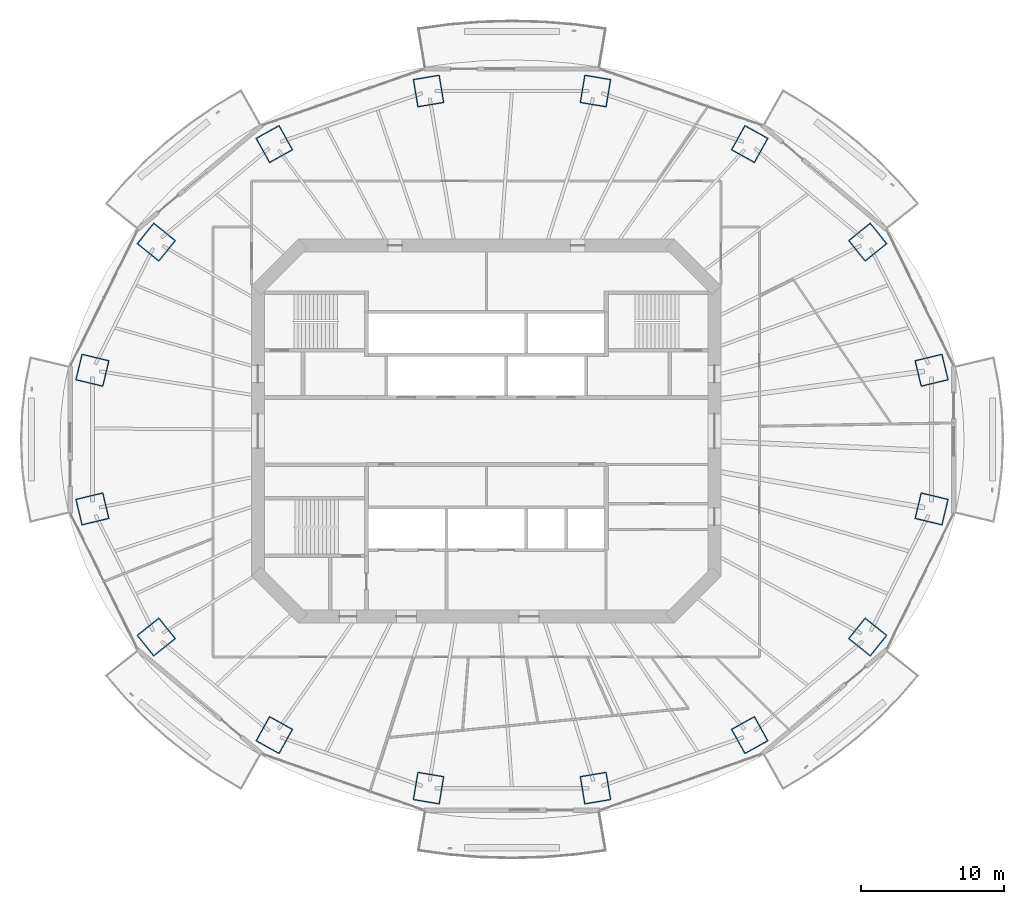
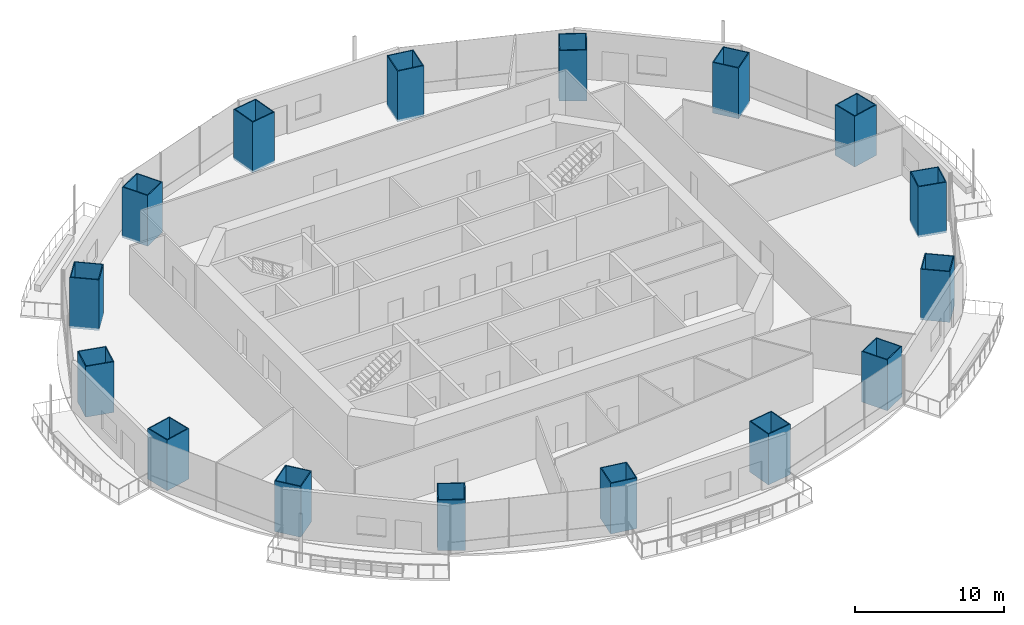
# One storey, part 1 of 21: 16 columns.
"""IFC4 building model written with IfcOpenShell, lengths in metres."""

from ifc_helpers import new_model, si_unit, direction, frame, origin, origin_2d, place, context, subcontext, project, spatial, rectangle, hollow_rectangle, extrude, material, material_profile, profile_set, type_object, element, save


model = new_model("IFC4")

# Units and contexts
model_context = context("Model", 3, precision=1e-05, world=origin(), true_north=direction((0.0, 1.0)))
body_context = subcontext(model_context, "Body", "Model", "MODEL_VIEW")
ifc_project = project(units=[si_unit("LENGTHUNIT", "METRE"), si_unit("AREAUNIT", "SQUARE_METRE"), si_unit("VOLUMEUNIT", "CUBIC_METRE"), si_unit("PLANEANGLEUNIT", "RADIAN"), si_unit("MASSUNIT", "GRAM", prefix="KILO")], contexts=[model_context])

# Site, building, storey
site_placement = place(None, origin())
site = spatial("IfcSite", under=ifc_project, at=site_placement, CompositionType="ELEMENT")
building_placement = place(site_placement, origin())
building = spatial("IfcBuilding", under=site, at=building_placement, Name="Marenthal Gate Tower", CompositionType="ELEMENT")
storey_placement = place(building_placement, frame((0.0, 0.0, 198.39990234375)))
storey = spatial("IfcBuildingStorey", under=building, at=storey_placement, Name="L43", CompositionType="ELEMENT", Elevation=198.39990234375)

# Columns
ifc_material_1 = material(Name="Steel S460", Category="steel")
ifc_material_profile_1 = material_profile(ifc_material_1, hollow_rectangle(XDim=1.89990234375, YDim=2.0, WallThickness=0.070068359375, at=origin_2d()), Name="CFT BOX 2000X1900X70")
ifc_material_2 = material(Name="Concrete 70 MPa", Category="concrete")
ifc_material_profile_2 = material_profile(ifc_material_2, rectangle(XDim=1.760009765625, YDim=1.860107421875, at=origin_2d()), Name="CFT BOX 2000X1900X70 INFILL")
ifc_profile_set = profile_set([ifc_material_profile_1, ifc_material_profile_2], Name="Steel S460 shell, Concrete 70 MPa infill")
column_type = type_object("IfcColumnType", Name="CFT BOX 2000X1900X70", PredefinedType="COLUMN", material=ifc_profile_set)
for number, where, z_axis, x_axis, name in (
    (1, (31.2158203125, 4.2607421875, -0.179931640625), (0.0, 0.0, 1.0), (0.232863214816, -0.972509497735, 0.0), "COL-L43-01"),
    (2, (26.7373046875, 13.241943359375, -0.179931640625), (0.0, 0.0, 1.0), (0.626752061972, -0.779218745164, 0.0), "COL-L43-02"),
    (3, (18.462646484375, 20.1162109375, -0.179931640625), (0.0, 0.0, 1.0), (0.874336943644, -0.48531938863, 0.0), "COL-L43-03"),
    (4, (7.651123046875, 23.836181640625, -0.179931640625), (0.0, 0.0, 1.0), (0.986621147056, -0.163029789247, 0.0), "COL-L43-04"),
    (5, (-4.051025390625, 23.836181640625, -0.179931640625), (0.0, 0.0, 1.0), (0.986621147056, 0.163029789247, 0.0), "COL-L43-05"),
    (6, (-14.86279296875, 20.1162109375, -0.179931640625), (0.0, 0.0, 1.0), (0.874336943644, 0.48531938863, 0.0), "COL-L43-06"),
    (7, (-23.137451171875, 13.241943359375, -0.179931640625), (0.0, 0.0, 1.0), (0.626752061972, 0.779218745164, 0.0), "COL-L43-07"),
    (8, (-27.61572265625, 4.2607421875, -0.179931640625), (0.0, 0.0, 1.0), (0.232863214816, 0.972509497735, 0.0), "COL-L43-08"),
    (9, (-27.61572265625, -5.460693359375, -0.179931640625), (0.0, 0.0, 1.0), (-0.232863214816, 0.972509497735, 0.0), "COL-L43-09"),
    (10, (-23.137451171875, -14.44189453125, -0.179931640625), (0.0, 0.0, 1.0), (-0.626752061972, 0.779218745164, 0.0), "COL-L43-10"),
    (11, (-14.86279296875, -21.316162109375, -0.179931640625), (0.0, 0.0, 1.0), (-0.874336943644, 0.48531938863, 0.0), "COL-L43-11"),
    (12, (-4.051025390625, -25.036376953125, -0.179931640625), (0.0, 0.0, 1.0), (-0.986621147056, 0.163029789247, 0.0), "COL-L43-12"),
    (13, (7.651123046875, -25.036376953125, -0.179931640625), (0.0, 0.0, 1.0), (-0.986621147056, -0.163029789247, 0.0), "COL-L43-13"),
    (14, (18.462646484375, -21.316162109375, -0.179931640625), (0.0, 0.0, 1.0), (-0.874336943644, -0.48531938863, 0.0), "COL-L43-14"),
    (15, (26.7373046875, -14.44189453125, -0.179931640625), (0.0, 0.0, 1.0), (-0.626752061972, -0.779218745164, 0.0), "COL-L43-15"),
    (16, (31.2158203125, -5.460693359375, -0.179931640625), (0.0, 0.0, 1.0), (-0.232863214816, -0.972509497735, 0.0), "COL-L43-16"),
):
    element("IfcColumn", number, at=place(storey_placement, frame(where, z_axis=z_axis, x_axis=x_axis)), inside=storey, type_object=column_type, Name=name, PredefinedType="COLUMN", context=body_context, shape_type="SweptSolid", body=[
        extrude(hollow_rectangle(XDim=1.89990234375, YDim=2.0, WallThickness=0.070068359375, at=origin_2d()), origin(), (0.0, 0.0, 1.0), 4.150146484375),
    ])

save(model, "model.ifc")
